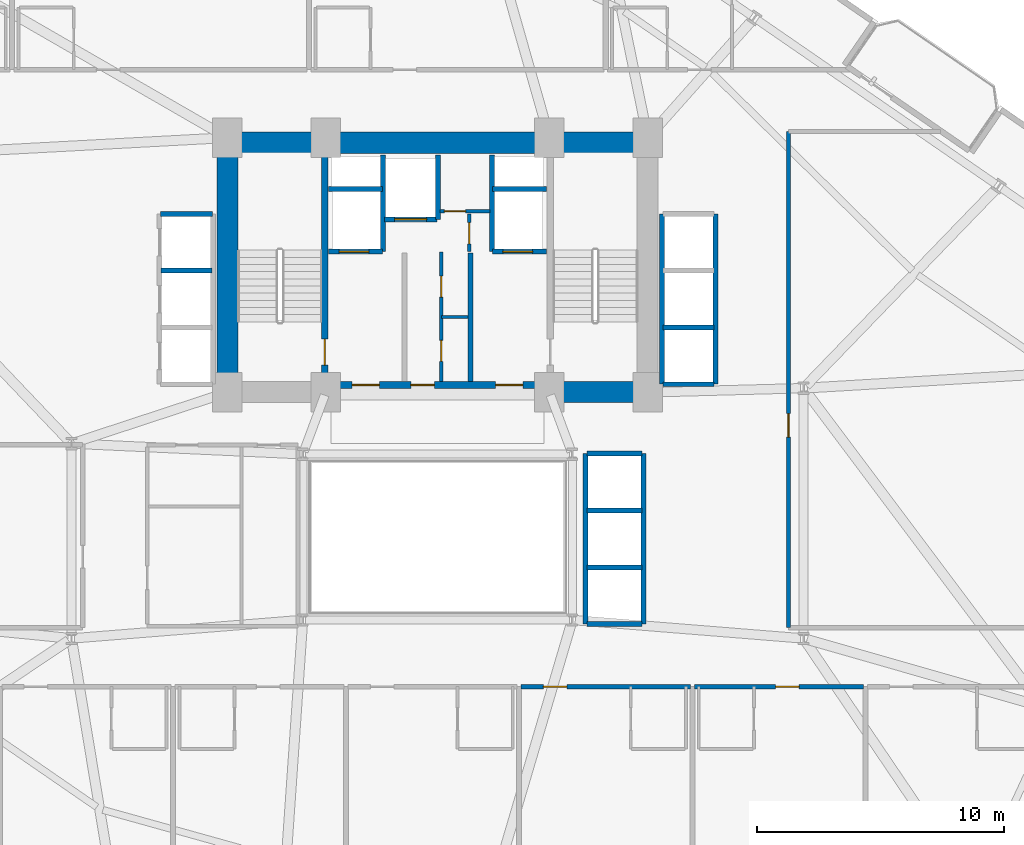
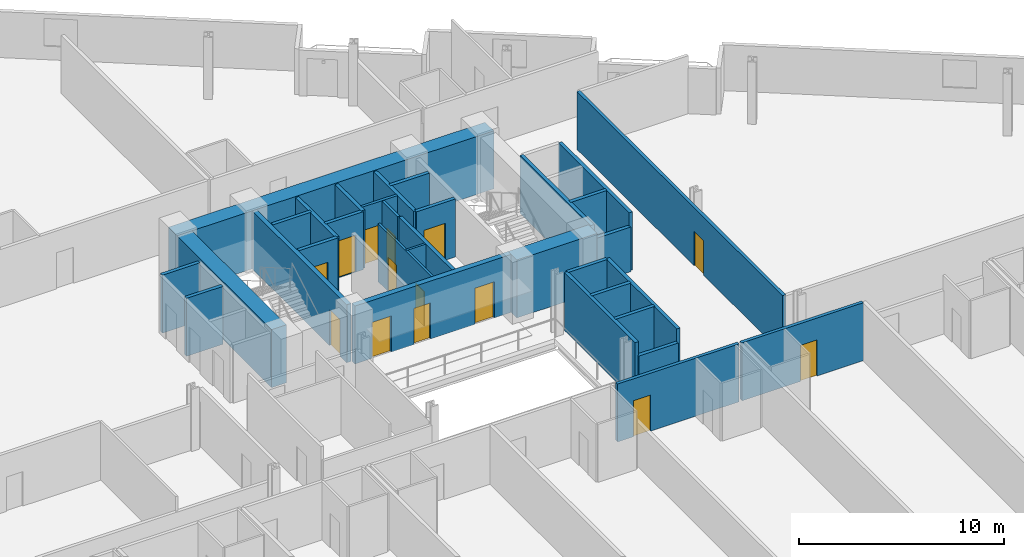
# One storey, part 19 of 25: 33 walls, 14 doors, 14 openings.
"""IFC4 building model written with IfcOpenShell, lengths in metres."""

from ifc_helpers import new_model, si_unit, direction, frame, frame_2d, origin, place, context, subcontext, project, spatial, rectangle, extrude, material, layer, layer_set, type_object, element, fill, save


model = new_model("IFC4")

# Units and contexts
model_context = context("Model", 3, precision=1e-05, world=origin(), true_north=direction((0.0, 1.0)))
body_context = subcontext(model_context, "Body", "Model", "MODEL_VIEW")
ifc_project = project(units=[si_unit("LENGTHUNIT", "METRE"), si_unit("AREAUNIT", "SQUARE_METRE"), si_unit("VOLUMEUNIT", "CUBIC_METRE"), si_unit("PLANEANGLEUNIT", "RADIAN"), si_unit("MASSUNIT", "GRAM", prefix="KILO")], contexts=[model_context])

# Site, building, storey
site_placement = place(None, origin())
site = spatial("IfcSite", under=ifc_project, at=site_placement, CompositionType="ELEMENT")
building_placement = place(site_placement, origin())
building = spatial("IfcBuilding", under=site, at=building_placement, Name="Varnelok Gate Tower", CompositionType="ELEMENT")
storey_placement = place(building_placement, frame((0.0, 0.0, 56.60009765625)))
storey = spatial("IfcBuildingStorey", under=building, at=storey_placement, Name="L13", CompositionType="ELEMENT", Elevation=56.60009765625)

# Wall, opening, door
ifc_material_1 = material(Name="Gypsum Plasterboard Acoustic Partition", Category="gypsum")
ifc_layer_1 = layer(ifc_material_1, 0.179931640625)
ifc_layer_set_1 = layer_set([ifc_layer_1], Name="Gypsum Plasterboard Acoustic Partition")
wall_type_1 = type_object("IfcWallType", Name="PW-CORR-180", PredefinedType="PARTITIONING", material=ifc_layer_set_1)
wall_1_placement = place(storey_placement, frame((42.580078125, 16.85009765625, 0.0), z_axis=(0.0, 0.0, 1.0), x_axis=(1.0, 0.0, 0.0)))
wall_1 = element("IfcWall", 1, at=wall_1_placement, inside=storey, type_object=wall_type_1, Name="Interior Partition", PredefinedType="PARTITIONING", context=body_context, shape_type="SweptSolid", body=[
    extrude(rectangle(XDim=6.83984375, YDim=0.179931640625, at=frame_2d((3.419921875, 0.0))), origin(), (0.0, 0.0, 1.0), 3.449951171875),
])
opening_1_placement = place(wall_1_placement, frame((0.89990234375, 0.0, 0.0)))
opening_1 = element("IfcOpeningElement", 2, at=opening_1_placement, cuts=wall_1, Name="Opening D-HT", PredefinedType="OPENING", context=body_context, shape_type="SweptSolid", body=[
    extrude(rectangle(XDim=0.949951171875, YDim=2.14990234375, at=frame_2d((0.47509765625, 1.074951171875))), frame((0.0, 0.099853515625, 0.0), z_axis=(0.0, -1.0, 0.0), x_axis=(1.0, 0.0, 0.0)), (0.0, 0.0, 1.0), 0.199951171875),
])
ifc_material_2 = material(Name="Engineered Hardwood Timber", Category="wood")
door_type_1 = type_object("IfcDoorType", Name="DR-HTL-950", OperationType="NOTDEFINED", PredefinedType="DOOR", material=ifc_material_2)
door_1_placement = place(opening_1_placement, origin())
door_1 = element("IfcDoor", 3, at=door_1_placement, inside=storey, type_object=door_type_1, Name="L13 Guest Room 06 Entrance Door", OperationType="SINGLE_SWING_LEFT", OverallHeight=2.14990234375, OverallWidth=0.949951171875, PredefinedType="DOOR", context=body_context, shape_type="SweptSolid", body=[
    extrude(rectangle(XDim=0.949951171875, YDim=2.14990234375, at=frame_2d((0.47509765625, 1.074951171875))), frame((0.0, 0.02490234375, 0.0), z_axis=(0.0, -1.0, 0.0), x_axis=(1.0, 0.0, 0.0)), (0.0, 0.0, 1.0), 0.050048828125),
])
fill(opening_1, door_1)

wall_2_placement = place(storey_placement, frame((49.580078125, 16.85009765625, 0.0), z_axis=(0.0, 0.0, 1.0), x_axis=(1.0, 0.0, 0.0)))
wall_2 = element("IfcWall", 4, at=wall_2_placement, inside=storey, type_object=wall_type_1, Name="Interior Partition", PredefinedType="PARTITIONING", context=body_context, shape_type="SweptSolid", body=[
    extrude(rectangle(XDim=6.83984375, YDim=0.179931640625, at=frame_2d((3.419921875, 0.0))), origin(), (0.0, 0.0, 1.0), 3.449951171875),
])
opening_2_placement = place(wall_2_placement, frame((3.2900390625, 0.0, 0.0)))
opening_2 = element("IfcOpeningElement", 5, at=opening_2_placement, cuts=wall_2, Name="Opening D-HT", PredefinedType="OPENING", context=body_context, shape_type="SweptSolid", body=[
    extrude(rectangle(XDim=0.949951171875, YDim=2.14990234375, at=frame_2d((0.47509765625, 1.074951171875))), frame((0.0, 0.099853515625, 0.0), z_axis=(0.0, -1.0, 0.0), x_axis=(1.0, 0.0, 0.0)), (0.0, 0.0, 1.0), 0.199951171875),
])
door_2_placement = place(opening_2_placement, origin())
door_2 = element("IfcDoor", 6, at=door_2_placement, inside=storey, type_object=door_type_1, Name="L13 Guest Room 07 Entrance Door", OperationType="SINGLE_SWING_RIGHT", OverallHeight=2.14990234375, OverallWidth=0.949951171875, PredefinedType="DOOR", context=body_context, shape_type="SweptSolid", body=[
    extrude(rectangle(XDim=0.949951171875, YDim=2.14990234375, at=frame_2d((0.47509765625, 1.074951171875))), frame((0.0, 0.02490234375, 0.0), z_axis=(0.0, -1.0, 0.0), x_axis=(1.0, 0.0, 0.0)), (0.0, 0.0, 1.0), 0.050048828125),
])
fill(opening_2, door_2)

wall_3_placement = place(storey_placement, frame((53.389892578125, 19.239990234375, 0.0), z_axis=(0.0, 0.0, 1.0), x_axis=(0.0, 1.0, 0.0)))
wall_3 = element("IfcWall", 7, at=wall_3_placement, inside=storey, type_object=wall_type_1, Name="Interior Partition", PredefinedType="PARTITIONING", context=body_context, shape_type="SweptSolid", body=[
    extrude(rectangle(XDim=20.06005859375, YDim=0.179931640625, at=frame_2d((10.030029296875, 0.0))), origin(), (0.0, 0.0, 1.0), 3.449951171875),
])
opening_3_placement = place(wall_3_placement, frame((7.699951171875, 0.0, 0.0)))
opening_3 = element("IfcOpeningElement", 8, at=opening_3_placement, cuts=wall_3, Name="Opening D-I2", PredefinedType="OPENING", context=body_context, shape_type="SweptSolid", body=[
    extrude(rectangle(XDim=0.949951171875, YDim=2.050048828125, at=frame_2d((0.47509765625, 1.02490234375))), frame((0.0, 0.099853515625, 0.0), z_axis=(0.0, -1.0, 0.0), x_axis=(1.0, 0.0, 0.0)), (0.0, 0.0, 1.0), 0.199951171875),
])
door_type_2 = type_object("IfcDoorType", Name="DR-INT-950", OperationType="NOTDEFINED", PredefinedType="DOOR", material=ifc_material_2)
door_3_placement = place(opening_3_placement, origin())
door_3 = element("IfcDoor", 9, at=door_3_placement, inside=storey, type_object=door_type_2, Name="L13 East Club Door", OperationType="SINGLE_SWING_RIGHT", OverallHeight=2.050048828125, OverallWidth=0.949951171875, PredefinedType="DOOR", context=body_context, shape_type="SweptSolid", body=[
    extrude(rectangle(XDim=0.949951171875, YDim=2.050048828125, at=frame_2d((0.47509765625, 1.02490234375))), frame((0.0, 0.02490234375, 0.0), z_axis=(0.0, -1.0, 0.0), x_axis=(1.0, 0.0, 0.0)), (0.0, 0.0, 1.0), 0.050048828125),
])
fill(opening_3, door_3)

# Wall
ifc_layer_2 = layer(ifc_material_1, 0.125)
ifc_layer_set_2 = layer_set([ifc_layer_2], Name="Gypsum Plasterboard Acoustic Partition")
wall_type_2 = type_object("IfcWallType", Name="PW-PART-125", PredefinedType="PARTITIONING", material=ifc_layer_set_2)
wall_4_placement = place(storey_placement, frame((39.35009765625, 31.800048828125, 0.0), z_axis=(0.0, 0.0, 1.0), x_axis=(1.0, 0.0, 0.0)))
element("IfcWall", 10, at=wall_4_placement, inside=storey, type_object=wall_type_2, Name="Interior Partition", PredefinedType="PARTITIONING", context=body_context, shape_type="SweptSolid", body=[
    extrude(rectangle(XDim=1.08984375, YDim=0.125, at=frame_2d((0.544921875, 0.0))), origin(), (0.0, 0.0, 1.0), 3.449951171875),
])

# Wall, openings, doors
wall_5_placement = place(storey_placement, frame((39.35009765625, 29.199951171875, 0.0), z_axis=(0.0, 0.0, 1.0), x_axis=(0.0, 1.0, 0.0)))
wall_5 = element("IfcWall", 11, at=wall_5_placement, inside=storey, type_object=wall_type_2, Name="Interior Partition", PredefinedType="PARTITIONING", context=body_context, shape_type="SweptSolid", body=[
    extrude(rectangle(XDim=5.219970703125, YDim=0.125, at=frame_2d((2.60986328125, 0.0))), origin(), (0.0, 0.0, 1.0), 3.449951171875),
])
opening_4_placement = place(wall_5_placement, frame((0.800048828125, 0.0, 0.0)))
opening_4 = element("IfcOpeningElement", 12, at=opening_4_placement, cuts=wall_5, Name="Opening D-RS", PredefinedType="OPENING", context=body_context, shape_type="SweptSolid", body=[
    extrude(rectangle(XDim=0.85009765625, YDim=2.050048828125, at=frame_2d((0.425048828125, 1.02490234375))), frame((0.0, 0.072509765625, 0.0), z_axis=(0.0, -1.0, 0.0), x_axis=(1.0, 0.0, 0.0)), (0.0, 0.0, 1.0), 0.14501953125),
])
opening_5_placement = place(wall_5_placement, frame((3.39990234375, 0.0, 0.0)))
opening_5 = element("IfcOpeningElement", 13, at=opening_5_placement, cuts=wall_5, Name="Opening D-RS", PredefinedType="OPENING", context=body_context, shape_type="SweptSolid", body=[
    extrude(rectangle(XDim=0.85009765625, YDim=2.050048828125, at=frame_2d((0.425048828125, 1.02490234375))), frame((0.0, 0.072509765625, 0.0), z_axis=(0.0, -1.0, 0.0), x_axis=(1.0, 0.0, 0.0)), (0.0, 0.0, 1.0), 0.14501953125),
])
ifc_material_3 = material(Name="Galvanized Steel Grade S350GD", Category="steel")
door_type_3 = type_object("IfcDoorType", Name="DR-RISER-850", OperationType="NOTDEFINED", PredefinedType="DOOR", material=ifc_material_3)
door_4_placement = place(opening_4_placement, origin())
door_4 = element("IfcDoor", 14, at=door_4_placement, inside=storey, type_object=door_type_3, Name="L13 Housekeeping Linen Door", OperationType="SINGLE_SWING_RIGHT", OverallHeight=2.050048828125, OverallWidth=0.85009765625, PredefinedType="DOOR", context=body_context, shape_type="SweptSolid", body=[
    extrude(rectangle(XDim=0.85009765625, YDim=2.050048828125, at=frame_2d((0.425048828125, 1.02490234375))), frame((0.0, 0.02490234375, 0.0), z_axis=(0.0, -1.0, 0.0), x_axis=(1.0, 0.0, 0.0)), (0.0, 0.0, 1.0), 0.050048828125),
])
fill(opening_4, door_4)
door_5_placement = place(opening_5_placement, origin())
door_5 = element("IfcDoor", 15, at=door_5_placement, inside=storey, type_object=door_type_3, Name="L13 Core Supply Door", OperationType="SINGLE_SWING_LEFT", OverallHeight=2.050048828125, OverallWidth=0.85009765625, PredefinedType="DOOR", context=body_context, shape_type="SweptSolid", body=[
    extrude(rectangle(XDim=0.85009765625, YDim=2.050048828125, at=frame_2d((0.425048828125, 1.02490234375))), frame((0.0, 0.02490234375, 0.0), z_axis=(0.0, -1.0, 0.0), x_axis=(1.0, 0.0, 0.0)), (0.0, 0.0, 1.0), 0.050048828125),
])
fill(opening_5, door_5)

# Wall, opening, door
ifc_layer_3 = layer(ifc_material_1, 0.14990234375)
ifc_layer_set_3 = layer_set([ifc_layer_3], Name="Gypsum Plasterboard Acoustic Partition")
wall_type_3 = type_object("IfcWallType", Name="PW-PART-150", PredefinedType="PARTITIONING", material=ifc_layer_set_3)
wall_6_placement = place(storey_placement, frame((39.300048828125, 36.080078125, 0.0), z_axis=(0.0, 0.0, 1.0), x_axis=(1.0, 0.0, 0.0)))
wall_6 = element("IfcWall", 16, at=wall_6_placement, inside=storey, type_object=wall_type_3, Name="L13 Electrical Closet South Wall", PredefinedType="PARTITIONING", context=body_context, shape_type="SweptSolid", body=[
    extrude(rectangle(XDim=2.02001953125, YDim=0.14990234375, at=frame_2d((1.010009765625, 0.0))), origin(), (0.0, 0.0, 1.0), 3.449951171875),
])
opening_6_placement = place(wall_6_placement, frame((0.179931640625, 0.0, 0.0)))
opening_6 = element("IfcOpeningElement", 17, at=opening_6_placement, cuts=wall_6, Name="Opening D-RS", PredefinedType="OPENING", context=body_context, shape_type="SweptSolid", body=[
    extrude(rectangle(XDim=0.85009765625, YDim=2.050048828125, at=frame_2d((0.425048828125, 1.02490234375))), frame((0.0, 0.0849609375, 0.0), z_axis=(0.0, -1.0, 0.0), x_axis=(1.0, 0.0, 0.0)), (0.0, 0.0, 1.0), 0.169921875),
])
door_6_placement = place(opening_6_placement, origin())
door_6 = element("IfcDoor", 18, at=door_6_placement, inside=storey, type_object=door_type_3, Name="L13 Electrical Closet Door", OperationType="SINGLE_SWING_RIGHT", OverallHeight=2.050048828125, OverallWidth=0.85009765625, PredefinedType="DOOR", context=body_context, shape_type="SweptSolid", body=[
    extrude(rectangle(XDim=0.85009765625, YDim=2.050048828125, at=frame_2d((0.425048828125, 1.02490234375))), frame((0.0, 0.02490234375, 0.0), z_axis=(0.0, -1.0, 0.0), x_axis=(1.0, 0.0, 0.0)), (0.0, 0.0, 1.0), 0.050048828125),
])
fill(opening_6, door_6)

wall_7_placement = place(storey_placement, frame((40.47998046875, 34.43994140625, 0.0), z_axis=(0.0, 0.0, 1.0), x_axis=(0.0, 1.0, 0.0)))
wall_7 = element("IfcWall", 19, at=wall_7_placement, inside=storey, type_object=wall_type_3, Name="L13 Telecoms Closet West Wall", PredefinedType="PARTITIONING", context=body_context, shape_type="SweptSolid", body=[
    extrude(rectangle(XDim=1.52001953125, YDim=0.14990234375, at=frame_2d((0.760009765625, 0.0))), origin(), (0.0, 0.0, 1.0), 3.449951171875),
])
opening_7_placement = place(wall_7_placement, frame((0.320068359375, 0.0, 0.0)))
opening_7 = element("IfcOpeningElement", 20, at=opening_7_placement, cuts=wall_7, Name="Opening D-RS", PredefinedType="OPENING", context=body_context, shape_type="SweptSolid", body=[
    extrude(rectangle(XDim=0.85009765625, YDim=2.050048828125, at=frame_2d((0.425048828125, 1.02490234375))), frame((0.0, 0.0849609375, 0.0), z_axis=(0.0, -1.0, 0.0), x_axis=(1.0, 0.0, 0.0)), (0.0, 0.0, 1.0), 0.169921875),
])
door_7_placement = place(opening_7_placement, origin())
door_7 = element("IfcDoor", 21, at=door_7_placement, inside=storey, type_object=door_type_3, Name="L13 Telecoms Closet Door", OperationType="SINGLE_SWING_LEFT", OverallHeight=2.050048828125, OverallWidth=0.85009765625, PredefinedType="DOOR", context=body_context, shape_type="SweptSolid", body=[
    extrude(rectangle(XDim=0.85009765625, YDim=2.050048828125, at=frame_2d((0.425048828125, 1.02490234375))), frame((0.0, 0.02490234375, 0.0), z_axis=(0.0, -1.0, 0.0), x_axis=(1.0, 0.0, 0.0)), (0.0, 0.0, 1.0), 0.050048828125),
])
fill(opening_7, door_7)

# Wall
ifc_material_4 = material(Name="Concrete C35/45", Category="concrete")
ifc_layer_4 = layer(ifc_material_4, 0.199951171875)
ifc_layer_set_4 = layer_set([ifc_layer_4], Name="Concrete C35/45")
wall_type_4 = type_object("IfcWallType", Name="PW-SHAFT-200", PredefinedType="PARTITIONING", material=ifc_layer_set_4)
wall_8_placement = place(storey_placement, frame((40.5400390625, 29.199951171875, 0.0), z_axis=(0.0, 0.0, 1.0), x_axis=(0.0, 1.0, 0.0)))
element("IfcWall", 22, at=wall_8_placement, inside=storey, type_object=wall_type_4, Name="L13 East FF Lobby Rated Wall", PredefinedType="PARTITIONING", context=body_context, shape_type="SweptSolid", body=[
    extrude(rectangle(XDim=5.179931640625, YDim=0.199951171875, at=frame_2d((2.58984375, 0.0))), origin(), (0.0, 0.0, 1.0), 3.449951171875),
])

# Wall, opening, door
wall_9_placement = place(storey_placement, frame((34.800048828125, 34.43994140625, 0.0), z_axis=(0.0, 0.0, 1.0), x_axis=(1.0, 0.0, 0.0)))
wall_9 = element("IfcWall", 23, at=wall_9_placement, inside=storey, type_object=wall_type_4, Name="L13 FF1 Shaft Front Wall", PredefinedType="PARTITIONING", context=body_context, shape_type="SweptSolid", body=[
    extrude(rectangle(XDim=2.179931640625, YDim=0.199951171875, at=frame_2d((1.08984375, 0.0))), origin(), (0.0, 0.0, 1.0), 3.449951171875),
])
opening_8_placement = place(wall_9_placement, frame((0.419921875, 0.0, 0.0)))
opening_8 = element("IfcOpeningElement", 24, at=opening_8_placement, cuts=wall_9, Name="Opening LD-FF1", PredefinedType="OPENING", context=body_context, shape_type="SweptSolid", body=[
    extrude(rectangle(XDim=1.199951171875, YDim=2.199951171875, at=frame_2d((0.60009765625, 1.10009765625))), frame((0.0, 0.10986328125, 0.0), z_axis=(0.0, -1.0, 0.0), x_axis=(1.0, 0.0, 0.0)), (0.0, 0.0, 1.0), 0.219970703125),
])
door_type_4 = type_object("IfcDoorType", Name="DR-LIFT-FF1200", OperationType="SLIDING_TO_LEFT", PredefinedType="DOOR", material=ifc_material_3)
door_8_placement = place(opening_8_placement, origin())
door_8 = element("IfcDoor", 25, at=door_8_placement, inside=storey, type_object=door_type_4, Name="L13 Firefighting Lift Landing Door LD-FF1", OperationType="SLIDING_TO_LEFT", OverallHeight=2.199951171875, OverallWidth=1.199951171875, PredefinedType="DOOR", context=body_context, shape_type="SweptSolid", body=[
    extrude(rectangle(XDim=1.199951171875, YDim=2.199951171875, at=frame_2d((0.60009765625, 1.10009765625))), frame((0.0, 0.02490234375, 0.0), z_axis=(0.0, -1.0, 0.0), x_axis=(1.0, 0.0, 0.0)), (0.0, 0.0, 1.0), 0.050048828125),
])
fill(opening_8, door_8)

# Walls
wall_10_placement = place(storey_placement, frame((34.800048828125, 36.97998046875, 0.0), z_axis=(0.0, 0.0, 1.0), x_axis=(1.0, 0.0, 0.0)))
element("IfcWall", 26, at=wall_10_placement, inside=storey, type_object=wall_type_4, Name="L13 FF1 Shaft North Wall", PredefinedType="PARTITIONING", context=body_context, shape_type="SweptSolid", body=[
    extrude(rectangle(XDim=2.179931640625, YDim=0.199951171875, at=frame_2d((1.08984375, 0.0))), origin(), (0.0, 0.0, 1.0), 3.449951171875),
])
wall_11_placement = place(storey_placement, frame((37.0, 34.43994140625, 0.0), z_axis=(0.0, 0.0, 1.0), x_axis=(0.0, 1.0, 0.0)))
element("IfcWall", 27, at=wall_11_placement, inside=storey, type_object=wall_type_4, Name="L13 FF1 Shaft Side Wall", PredefinedType="PARTITIONING", context=body_context, shape_type="SweptSolid", body=[
    extrude(rectangle(XDim=3.900146484375, YDim=0.199951171875, at=frame_2d((1.9501953125, 0.0))), origin(), (0.0, 0.0, 1.0), 3.449951171875),
])

# Wall, opening, door
wall_12_placement = place(storey_placement, frame((41.419921875, 34.43994140625, 0.0), z_axis=(0.0, 0.0, 1.0), x_axis=(1.0, 0.0, 0.0)))
wall_12 = element("IfcWall", 28, at=wall_12_placement, inside=storey, type_object=wall_type_4, Name="L13 FF2 Shaft Front Wall", PredefinedType="PARTITIONING", context=body_context, shape_type="SweptSolid", body=[
    extrude(rectangle(XDim=2.18017578125, YDim=0.199951171875, at=frame_2d((1.090087890625, 0.0))), origin(), (0.0, 0.0, 1.0), 3.449951171875),
])
opening_9_placement = place(wall_12_placement, frame((0.419921875, 0.0, 0.0)))
opening_9 = element("IfcOpeningElement", 29, at=opening_9_placement, cuts=wall_12, Name="Opening LD-FF2", PredefinedType="OPENING", context=body_context, shape_type="SweptSolid", body=[
    extrude(rectangle(XDim=1.199951171875, YDim=2.199951171875, at=frame_2d((0.60009765625, 1.10009765625))), frame((0.0, 0.10986328125, 0.0), z_axis=(0.0, -1.0, 0.0), x_axis=(1.0, 0.0, 0.0)), (0.0, 0.0, 1.0), 0.219970703125),
])
door_9_placement = place(opening_9_placement, origin())
door_9 = element("IfcDoor", 30, at=door_9_placement, inside=storey, type_object=door_type_4, Name="L13 Firefighting Lift Landing Door LD-FF2", OperationType="SLIDING_TO_LEFT", OverallHeight=2.199951171875, OverallWidth=1.199951171875, PredefinedType="DOOR", context=body_context, shape_type="SweptSolid", body=[
    extrude(rectangle(XDim=1.199951171875, YDim=2.199951171875, at=frame_2d((0.60009765625, 1.10009765625))), frame((0.0, 0.02490234375, 0.0), z_axis=(0.0, -1.0, 0.0), x_axis=(1.0, 0.0, 0.0)), (0.0, 0.0, 1.0), 0.050048828125),
])
fill(opening_9, door_9)

# Walls
wall_13_placement = place(storey_placement, frame((41.419921875, 36.97998046875, 0.0), z_axis=(0.0, 0.0, 1.0), x_axis=(1.0, 0.0, 0.0)))
element("IfcWall", 31, at=wall_13_placement, inside=storey, type_object=wall_type_4, Name="L13 FF2 Shaft North Wall", PredefinedType="PARTITIONING", context=body_context, shape_type="SweptSolid", body=[
    extrude(rectangle(XDim=2.18017578125, YDim=0.199951171875, at=frame_2d((1.090087890625, 0.0))), origin(), (0.0, 0.0, 1.0), 3.449951171875),
])
wall_14_placement = place(storey_placement, frame((41.39990234375, 34.43994140625, 0.0), z_axis=(0.0, 0.0, 1.0), x_axis=(0.0, 1.0, 0.0)))
element("IfcWall", 32, at=wall_14_placement, inside=storey, type_object=wall_type_4, Name="L13 FF2 Shaft Side Wall", PredefinedType="PARTITIONING", context=body_context, shape_type="SweptSolid", body=[
    extrude(rectangle(XDim=3.900146484375, YDim=0.199951171875, at=frame_2d((1.9501953125, 0.0))), origin(), (0.0, 0.0, 1.0), 3.449951171875),
])

# Wall, opening, door
wall_15_placement = place(storey_placement, frame((37.06005859375, 35.75, 0.0), z_axis=(0.0, 0.0, 1.0), x_axis=(1.0, 0.0, 0.0)))
wall_15 = element("IfcWall", 33, at=wall_15_placement, inside=storey, type_object=wall_type_4, Name="L13 SV1 Shaft Front Wall", PredefinedType="PARTITIONING", context=body_context, shape_type="SweptSolid", body=[
    extrude(rectangle(XDim=2.119873046875, YDim=0.199951171875, at=frame_2d((1.06005859375, 0.0))), origin(), (0.0, 0.0, 1.0), 3.449951171875),
])
opening_10_placement = place(wall_15_placement, frame((0.39990234375, 0.0, 0.0)))
opening_10 = element("IfcOpeningElement", 34, at=opening_10_placement, cuts=wall_15, Name="Opening LD-SV1", PredefinedType="OPENING", context=body_context, shape_type="SweptSolid", body=[
    extrude(rectangle(XDim=1.300048828125, YDim=2.199951171875, at=frame_2d((0.64990234375, 1.10009765625))), frame((0.0, 0.10986328125, 0.0), z_axis=(0.0, -1.0, 0.0), x_axis=(1.0, 0.0, 0.0)), (0.0, 0.0, 1.0), 0.219970703125),
])
door_type_5 = type_object("IfcDoorType", Name="DR-LIFT-SV1300", OperationType="SLIDING_TO_LEFT", PredefinedType="DOOR", material=ifc_material_3)
door_10_placement = place(opening_10_placement, origin())
door_10 = element("IfcDoor", 35, at=door_10_placement, inside=storey, type_object=door_type_5, Name="L13 Service Lift Landing Door LD-SV1", OperationType="SLIDING_TO_LEFT", OverallHeight=2.199951171875, OverallWidth=1.300048828125, PredefinedType="DOOR", context=body_context, shape_type="SweptSolid", body=[
    extrude(rectangle(XDim=1.300048828125, YDim=2.199951171875, at=frame_2d((0.64990234375, 1.10009765625))), frame((0.0, 0.02490234375, 0.0), z_axis=(0.0, -1.0, 0.0), x_axis=(1.0, 0.0, 0.0)), (0.0, 0.0, 1.0), 0.050048828125),
])
fill(opening_10, door_10)

# Walls
wall_16_placement = place(storey_placement, frame((39.219970703125, 35.75, 0.0), z_axis=(0.0, 0.0, 1.0), x_axis=(0.0, 1.0, 0.0)))
element("IfcWall", 36, at=wall_16_placement, inside=storey, type_object=wall_type_4, Name="L13 SV1 Shaft East Wall", PredefinedType="PARTITIONING", context=body_context, shape_type="SweptSolid", body=[
    extrude(rectangle(XDim=2.590087890625, YDim=0.199951171875, at=frame_2d((1.294921875, 0.0))), origin(), (0.0, 0.0, 1.0), 3.449951171875),
])
wall_17_placement = place(storey_placement, frame((28.02001953125, 33.675048828125, 0.0), z_axis=(0.0, 0.0, 1.0), x_axis=(1.0, 0.0, 0.0)))
element("IfcWall", 37, at=wall_17_placement, inside=storey, type_object=wall_type_4, Name="L13 PL2 Divider", PredefinedType="PARTITIONING", context=body_context, shape_type="SweptSolid", body=[
    extrude(rectangle(XDim=2.06005859375, YDim=0.199951171875, at=frame_2d((1.030029296875, 0.0))), origin(), (0.0, 0.0, 1.0), 3.449951171875),
])
wall_18_placement = place(storey_placement, frame((28.0, 35.969970703125, 0.0), z_axis=(0.0, 0.0, 1.0), x_axis=(1.0, 0.0, 0.0)))
element("IfcWall", 38, at=wall_18_placement, inside=storey, type_object=wall_type_4, Name="L13 PL Bank North Wall", PredefinedType="PARTITIONING", context=body_context, shape_type="SweptSolid", body=[
    extrude(rectangle(XDim=2.10009765625, YDim=0.199951171875, at=frame_2d((1.050048828125, 0.0))), origin(), (0.0, 0.0, 1.0), 3.449951171875),
])
wall_19_placement = place(storey_placement, frame((48.320068359375, 31.375, 0.0), z_axis=(0.0, 0.0, 1.0), x_axis=(1.0, 0.0, 0.0)))
element("IfcWall", 39, at=wall_19_placement, inside=storey, type_object=wall_type_4, Name="L13 PM1 Divider", PredefinedType="PARTITIONING", context=body_context, shape_type="SweptSolid", body=[
    extrude(rectangle(XDim=2.059814453125, YDim=0.199951171875, at=frame_2d((1.02978515625, 0.0))), origin(), (0.0, 0.0, 1.0), 3.449951171875),
])
wall_20_placement = place(storey_placement, frame((48.320068359375, 29.080078125, 0.0), z_axis=(0.0, 0.0, 1.0), x_axis=(1.0, 0.0, 0.0)))
element("IfcWall", 40, at=wall_20_placement, inside=storey, type_object=wall_type_4, Name="L13 PM Bank South Wall", PredefinedType="PARTITIONING", context=body_context, shape_type="SweptSolid", body=[
    extrude(rectangle(XDim=2.059814453125, YDim=0.199951171875, at=frame_2d((1.02978515625, 0.0))), origin(), (0.0, 0.0, 1.0), 2.661865234375),
])
for number, where, z_axis, x_axis, name in (
    (41, (48.280029296875, 29.080078125, 0.0), (0.0, 0.0, 1.0), (0.0, 1.0, 0.0), "L13 PM Bank Back Wall"),
    (42, (50.43994140625, 29.080078125, 0.0), (0.0, 0.0, 1.0), (0.0, 1.0, 0.0), "L13 PM Bank Front Wall"),
):
    element("IfcWall", number, at=place(storey_placement, frame(where, z_axis=z_axis, x_axis=x_axis)), inside=storey, type_object=wall_type_4, Name=name, PredefinedType="PARTITIONING", context=body_context, shape_type="SweptSolid", body=[
        extrude(rectangle(XDim=6.889892578125, YDim=0.199951171875, at=frame_2d((3.44482421875, 0.0))), origin(), (0.0, 0.0, 1.0), 3.449951171875),
    ])
for number, where, z_axis, x_axis, name in (
    (43, (45.239990234375, 21.675048828125, 0.0), (0.0, 0.0, 1.0), (1.0, 0.0, 0.0), "L13 PH1 Divider"),
    (44, (45.239990234375, 23.97509765625, 0.0), (0.0, 0.0, 1.0), (1.0, 0.0, 0.0), "L13 PH2 Divider"),
):
    element("IfcWall", number, at=place(storey_placement, frame(where, z_axis=z_axis, x_axis=x_axis)), inside=storey, type_object=wall_type_4, Name=name, PredefinedType="PARTITIONING", context=body_context, shape_type="SweptSolid", body=[
        extrude(rectangle(XDim=2.219970703125, YDim=0.199951171875, at=frame_2d((1.10986328125, 0.0))), origin(), (0.0, 0.0, 1.0), 3.449951171875),
    ])
wall_21_placement = place(storey_placement, frame((45.239990234375, 19.3798828125, 0.0), z_axis=(0.0, 0.0, 1.0), x_axis=(1.0, 0.0, 0.0)))
element("IfcWall", 45, at=wall_21_placement, inside=storey, type_object=wall_type_4, Name="L13 PH Bank South Wall", PredefinedType="PARTITIONING", context=body_context, shape_type="SweptSolid", body=[
    extrude(rectangle(XDim=2.219970703125, YDim=0.199951171875, at=frame_2d((1.10986328125, 0.0))), origin(), (0.0, 0.0, 1.0), 2.661865234375),
])
wall_22_placement = place(storey_placement, frame((45.239990234375, 26.280029296875, 0.0), z_axis=(0.0, 0.0, 1.0), x_axis=(1.0, 0.0, 0.0)))
element("IfcWall", 46, at=wall_22_placement, inside=storey, type_object=wall_type_4, Name="L13 PH Bank North Wall", PredefinedType="PARTITIONING", context=body_context, shape_type="SweptSolid", body=[
    extrude(rectangle(XDim=2.219970703125, YDim=0.199951171875, at=frame_2d((1.10986328125, 0.0))), origin(), (0.0, 0.0, 1.0), 3.449951171875),
])
for number, where, z_axis, x_axis, name in (
    (47, (45.179931640625, 19.3798828125, 0.0), (0.0, 0.0, 1.0), (0.0, 1.0, 0.0), "L13 PH Bank Atrium Wall"),
    (48, (47.52001953125, 19.3798828125, 0.0), (0.0, 0.0, 1.0), (0.0, 1.0, 0.0), "L13 PH Bank Front Wall"),
):
    element("IfcWall", number, at=place(storey_placement, frame(where, z_axis=z_axis, x_axis=x_axis)), inside=storey, type_object=wall_type_4, Name=name, PredefinedType="PARTITIONING", context=body_context, shape_type="SweptSolid", body=[
        extrude(rectangle(XDim=6.900146484375, YDim=0.199951171875, at=frame_2d((3.4501953125, 0.0))), origin(), (0.0, 0.0, 1.0), 3.449951171875),
    ])
ifc_material_5 = material(Name="Concrete C70/85", Category="concrete")
ifc_layer_5 = layer(ifc_material_5, 0.85009765625)
ifc_layer_set_5 = layer_set([ifc_layer_5], Name="Concrete C70/85")
wall_type_5 = type_object("IfcWallType", Name="SW-CORE-850", PredefinedType="SHEAR", material=ifc_layer_set_5)
wall_23_placement = place(storey_placement, frame((30.280029296875, 38.844970703125, 0.0), z_axis=(0.0, 0.0, 1.0), x_axis=(1.0, 0.0, 0.0)))
element("IfcWall", 49, at=wall_23_placement, inside=storey, type_object=wall_type_5, Name="L13 Rear Core North Shear Wall", PredefinedType="SHEAR", context=body_context, shape_type="SweptSolid", body=[
    extrude(rectangle(XDim=17.840087890625, YDim=0.85009765625, at=frame_2d((8.919921875, 0.0))), origin(), (0.0, 0.0, 1.0), 3.449951171875),
])
wall_24_placement = place(storey_placement, frame((30.705078125, 29.199951171875, 0.0), z_axis=(0.0, 0.0, 1.0), x_axis=(0.0, 1.0, 0.0)))
element("IfcWall", 50, at=wall_24_placement, inside=storey, type_object=wall_type_5, Name="L13 Rear Core West Shear Wall", PredefinedType="SHEAR", context=body_context, shape_type="SweptSolid", body=[
    extrude(rectangle(XDim=9.219970703125, YDim=0.85009765625, at=frame_2d((4.60986328125, 0.0))), origin(), (0.0, 0.0, 1.0), 3.449951171875),
])
wall_25_placement = place(storey_placement, frame((43.60009765625, 28.77490234375, 0.0), z_axis=(0.0, 0.0, 1.0), x_axis=(1.0, 0.0, 0.0)))
element("IfcWall", 51, at=wall_25_placement, inside=storey, type_object=wall_type_5, Name="L13 Rear Core South-East Shear Wall", PredefinedType="SHEAR", context=body_context, shape_type="SweptSolid", body=[
    extrude(rectangle(XDim=4.52001953125, YDim=0.85009765625, at=frame_2d((2.260009765625, 0.0))), origin(), (0.0, 0.0, 1.0), 3.449951171875),
])

# Wall, opening, door
ifc_material_6 = material(Name="Concrete C60/75", Category="concrete")
ifc_layer_6 = layer(ifc_material_6, 0.25)
ifc_layer_set_6 = layer_set([ifc_layer_6], Name="Concrete C60/75")
wall_type_6 = type_object("IfcWallType", Name="SW-SHAFT-250", PredefinedType="SHEAR", material=ifc_layer_set_6)
wall_26_placement = place(storey_placement, frame((34.639892578125, 29.199951171875, 0.0), z_axis=(0.0, 0.0, 1.0), x_axis=(0.0, 1.0, 0.0)))
wall_26 = element("IfcWall", 52, at=wall_26_placement, inside=storey, type_object=wall_type_6, Name="L13 Stair ST-1 East Shear Wall", PredefinedType="SHEAR", context=body_context, shape_type="SweptSolid", body=[
    extrude(rectangle(XDim=9.219970703125, YDim=0.25, at=frame_2d((4.60986328125, 0.0))), origin(), (0.0, 0.0, 1.0), 3.449951171875),
])
opening_11_placement = place(wall_26_placement, frame((0.64990234375, 0.0, 0.0)))
opening_11 = element("IfcOpeningElement", 53, at=opening_11_placement, cuts=wall_26, Name="Opening D-ST", PredefinedType="OPENING", context=body_context, shape_type="SweptSolid", body=[
    extrude(rectangle(XDim=1.050048828125, YDim=2.14990234375, at=frame_2d((0.52490234375, 1.074951171875))), frame((0.0, 0.135009765625, 0.0), z_axis=(0.0, -1.0, 0.0), x_axis=(1.0, 0.0, 0.0)), (0.0, 0.0, 1.0), 0.27001953125),
])
door_type_6 = type_object("IfcDoorType", Name="DR-STAIR-1050", OperationType="NOTDEFINED", PredefinedType="DOOR", material=ifc_material_3)
door_11_placement = place(opening_11_placement, origin())
door_11 = element("IfcDoor", 54, at=door_11_placement, inside=storey, type_object=door_type_6, Name="L13 Exit Stair ST-1 Fire Door", OperationType="SINGLE_SWING_LEFT", OverallHeight=2.14990234375, OverallWidth=1.050048828125, PredefinedType="DOOR", context=body_context, shape_type="SweptSolid", body=[
    extrude(rectangle(XDim=1.050048828125, YDim=2.14990234375, at=frame_2d((0.52490234375, 1.074951171875))), frame((0.0, 0.02490234375, 0.0), z_axis=(0.0, -1.0, 0.0), x_axis=(1.0, 0.0, 0.0)), (0.0, 0.0, 1.0), 0.050048828125),
])
fill(opening_11, door_11)

# Wall, openings, doors
ifc_layer_7 = layer(ifc_material_6, 0.300048828125)
ifc_layer_set_7 = layer_set([ifc_layer_7], Name="Concrete C60/75")
wall_type_7 = type_object("IfcWallType", Name="SW-SHAFT-300", PredefinedType="SHEAR", material=ifc_layer_set_7)
wall_27_placement = place(storey_placement, frame((34.800048828125, 29.050048828125, 0.0), z_axis=(0.0, 0.0, 1.0), x_axis=(1.0, 0.0, 0.0)))
wall_27 = element("IfcWall", 55, at=wall_27_placement, inside=storey, type_object=wall_type_7, Name="L13 Rear Core Central Lobby Shear Wall", PredefinedType="SHEAR", context=body_context, shape_type="SweptSolid", body=[
    extrude(rectangle(XDim=8.800048828125, YDim=0.300048828125, at=frame_2d((4.39990234375, 0.0))), origin(), (0.0, 0.0, 1.0), 3.449951171875),
])
opening_12_placement = place(wall_27_placement, frame((0.949951171875, 0.0, 0.0)))
opening_12 = element("IfcOpeningElement", 56, at=opening_12_placement, cuts=wall_27, Name="Opening D-FF", PredefinedType="OPENING", context=body_context, shape_type="SweptSolid", body=[
    extrude(rectangle(XDim=1.10009765625, YDim=2.14990234375, at=frame_2d((0.550048828125, 1.074951171875))), frame((0.0, 0.159912109375, 0.0), z_axis=(0.0, -1.0, 0.0), x_axis=(1.0, 0.0, 0.0)), (0.0, 0.0, 1.0), 0.320068359375),
])
opening_13_placement = place(wall_27_placement, frame((6.75, 0.0, 0.0)))
opening_13 = element("IfcOpeningElement", 57, at=opening_13_placement, cuts=wall_27, Name="Opening D-FF", PredefinedType="OPENING", context=body_context, shape_type="SweptSolid", body=[
    extrude(rectangle(XDim=1.10009765625, YDim=2.14990234375, at=frame_2d((0.550048828125, 1.074951171875))), frame((0.0, 0.159912109375, 0.0), z_axis=(0.0, -1.0, 0.0), x_axis=(1.0, 0.0, 0.0)), (0.0, 0.0, 1.0), 0.320068359375),
])
opening_14_placement = place(wall_27_placement, frame((3.320068359375, 0.0, 0.0)))
opening_14 = element("IfcOpeningElement", 58, at=opening_14_placement, cuts=wall_27, Name="Opening D-CR", PredefinedType="OPENING", context=body_context, shape_type="SweptSolid", body=[
    extrude(rectangle(XDim=0.949951171875, YDim=2.14990234375, at=frame_2d((0.47509765625, 1.074951171875))), frame((0.0, 0.159912109375, 0.0), z_axis=(0.0, -1.0, 0.0), x_axis=(1.0, 0.0, 0.0)), (0.0, 0.0, 1.0), 0.320068359375),
])
door_type_7 = type_object("IfcDoorType", Name="DR-CORR-950", OperationType="NOTDEFINED", PredefinedType="DOOR", material=ifc_material_3)
door_12_placement = place(opening_14_placement, origin())
door_12 = element("IfcDoor", 59, at=door_12_placement, inside=storey, type_object=door_type_7, Name="L13 Core Service Passage Door", OperationType="SINGLE_SWING_LEFT", OverallHeight=2.14990234375, OverallWidth=0.949951171875, PredefinedType="DOOR", context=body_context, shape_type="SweptSolid", body=[
    extrude(rectangle(XDim=0.949951171875, YDim=2.14990234375, at=frame_2d((0.47509765625, 1.074951171875))), frame((0.0, 0.02490234375, 0.0), z_axis=(0.0, -1.0, 0.0), x_axis=(1.0, 0.0, 0.0)), (0.0, 0.0, 1.0), 0.050048828125),
])
fill(opening_14, door_12)
door_type_8 = type_object("IfcDoorType", Name="DR-FFLOB-1100", OperationType="NOTDEFINED", PredefinedType="DOOR", material=ifc_material_3)
door_13_placement = place(opening_12_placement, origin())
door_13 = element("IfcDoor", 60, at=door_13_placement, inside=storey, type_object=door_type_8, Name="L13 West Firefighting Lobby Fire Door", OperationType="SINGLE_SWING_RIGHT", OverallHeight=2.14990234375, OverallWidth=1.10009765625, PredefinedType="DOOR", context=body_context, shape_type="SweptSolid", body=[
    extrude(rectangle(XDim=1.10009765625, YDim=2.14990234375, at=frame_2d((0.550048828125, 1.074951171875))), frame((0.0, 0.02490234375, 0.0), z_axis=(0.0, -1.0, 0.0), x_axis=(1.0, 0.0, 0.0)), (0.0, 0.0, 1.0), 0.050048828125),
])
fill(opening_12, door_13)
door_14_placement = place(opening_13_placement, origin())
door_14 = element("IfcDoor", 61, at=door_14_placement, inside=storey, type_object=door_type_8, Name="L13 East Firefighting Lobby Fire Door", OperationType="SINGLE_SWING_LEFT", OverallHeight=2.14990234375, OverallWidth=1.10009765625, PredefinedType="DOOR", context=body_context, shape_type="SweptSolid", body=[
    extrude(rectangle(XDim=1.10009765625, YDim=2.14990234375, at=frame_2d((0.550048828125, 1.074951171875))), frame((0.0, 0.02490234375, 0.0), z_axis=(0.0, -1.0, 0.0), x_axis=(1.0, 0.0, 0.0)), (0.0, 0.0, 1.0), 0.050048828125),
])
fill(opening_13, door_14)

save(model, "model.ifc")
